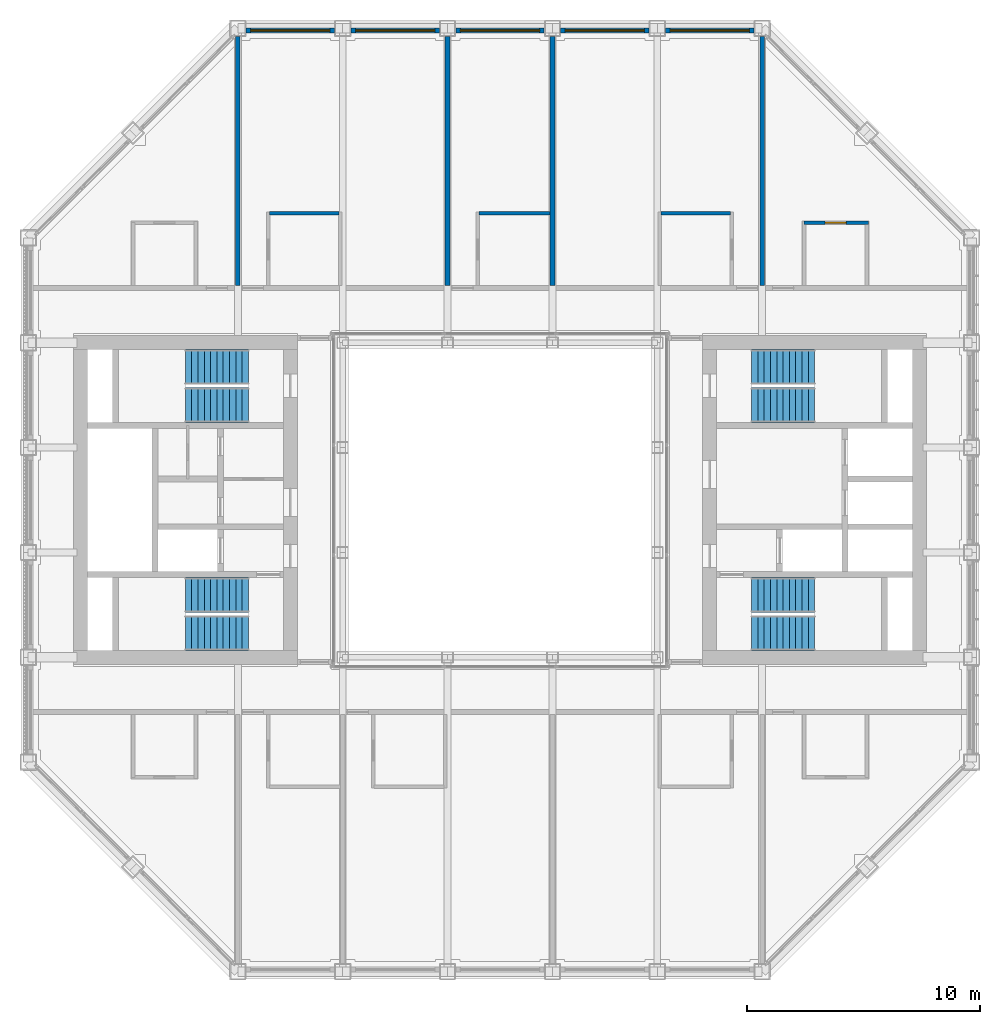
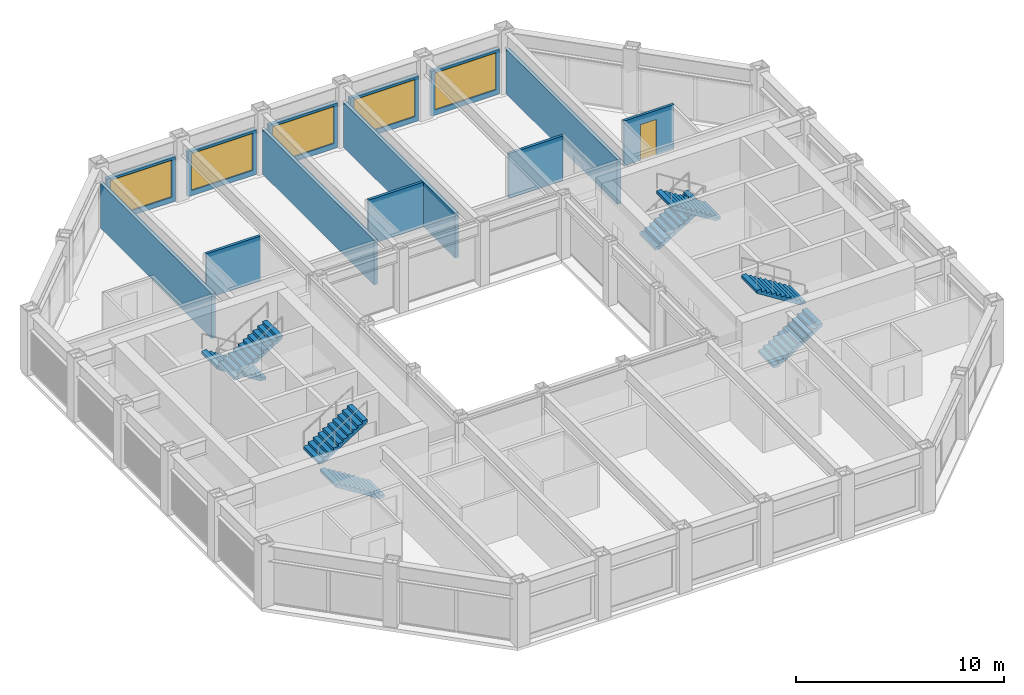
# One storey, part 12 of 16: 13 walls, 8 stair flights, 5 windows, 1 door, 6 openings, 4 elements without a shape of their own.
"""IFC4 building model written with IfcOpenShell, lengths in metres."""

from ifc_helpers import new_model, si_unit, direction, frame, frame_2d, origin, place, context, subcontext, project, spatial, polyline, rectangle, outline, extrude, material, layer, layer_set, type_object, element, fill, aggregate, save


model = new_model("IFC4")

# Units and contexts
model_context = context("Model", 3, precision=1e-05, world=origin(), true_north=direction((0.0, 1.0)))
body_context = subcontext(model_context, "Body", "Model", "MODEL_VIEW")
ifc_project = project(units=[si_unit("LENGTHUNIT", "METRE"), si_unit("AREAUNIT", "SQUARE_METRE"), si_unit("VOLUMEUNIT", "CUBIC_METRE"), si_unit("PLANEANGLEUNIT", "RADIAN"), si_unit("MASSUNIT", "GRAM", prefix="KILO")], contexts=[model_context])

# Site, building, storey
site_placement = place(None, origin())
site = spatial("IfcSite", under=ifc_project, at=site_placement, CompositionType="ELEMENT")
building_placement = place(site_placement, origin())
building = spatial("IfcBuilding", under=site, at=building_placement, Name="Msasa Ring Tower", CompositionType="ELEMENT")
storey_placement = place(building_placement, frame((0.0, 0.0, 212.050048828125)))
storey = spatial("IfcBuildingStorey", under=building, at=storey_placement, Name="L55", CompositionType="ELEMENT", Elevation=212.050048828125)

# Wall, opening, window
ifc_material_1 = material(Name="Terracotta rainscreen on blockwork", Category="masonry")
ifc_layer_1 = layer(ifc_material_1, 0.199951171875)
ifc_layer_set_1 = layer_set([ifc_layer_1], Name="FW1 TERRACOTTA-LINED INFILL BAY WALL 200")
wall_type_1 = type_object("IfcWallType", Name="FW1 TERRACOTTA-LINED INFILL BAY WALL 200", PredefinedType="SOLIDWALL", material=ifc_layer_set_1)
wall_1_placement = place(storey_placement, frame((-10.89501953125, 20.14990234375, 0.0), z_axis=(0.0, 0.0, 1.0), x_axis=(1.0, 0.0, 0.0)))
wall_1 = element("IfcWall", 1, at=wall_1_placement, inside=storey, type_object=wall_type_1, Name="Infill bay wall N L55 14", PredefinedType="SOLIDWALL", context=body_context, shape_type="SweptSolid", body=[
    extrude(rectangle(XDim=3.7900390625, YDim=0.199951171875, at=frame_2d((1.89501953125, 0.0))), origin(), (0.0, 0.0, 1.0), 2.62890625),
])
opening_1_placement = place(wall_1_placement, frame((0.195068359375, 0.0, 0.300048828125)))
opening_1 = element("IfcOpeningElement", 2, at=opening_1_placement, cuts=wall_1, Name="Opening WN3", PredefinedType="OPENING", context=body_context, shape_type="SweptSolid", body=[
    extrude(rectangle(XDim=3.39990234375, YDim=2.178955078125, at=frame_2d((1.699951171875, 1.08935546875))), frame((0.0, 0.10986328125, 0.0), z_axis=(0.0, -1.0, 0.0), x_axis=(1.0, 0.0, 0.0)), (0.0, 0.0, 1.0), 0.219970703125),
])
ifc_material_2 = material(Name="Aluminium frame with clear glass", Category="aluminium")
window_type = type_object("IfcWindowType", Name="WN3 SUITE WINDOW 3400x2179", PartitioningType="SINGLE_PANEL", PredefinedType="WINDOW", material=ifc_material_2)
window_1_placement = place(opening_1_placement, origin())
window_1 = element("IfcWindow", 3, at=window_1_placement, inside=storey, type_object=window_type, Name="Window N L55 14", OverallHeight=2.178955078125, OverallWidth=3.39990234375, PartitioningType="SINGLE_PANEL", PredefinedType="WINDOW", context=body_context, shape_type="SweptSolid", body=[
    extrude(rectangle(XDim=3.39990234375, YDim=2.178955078125, at=frame_2d((1.699951171875, 1.08935546875))), frame((0.0, 0.030029296875, 0.0), z_axis=(0.0, -1.0, 0.0), x_axis=(1.0, 0.0, 0.0)), (0.0, 0.0, 1.0), 0.06005859375),
])
fill(opening_1, window_1)

wall_2_placement = place(storey_placement, frame((-6.39501953125, 20.14990234375, 0.0), z_axis=(0.0, 0.0, 1.0), x_axis=(1.0, 0.0, 0.0)))
wall_2 = element("IfcWall", 4, at=wall_2_placement, inside=storey, type_object=wall_type_1, Name="Infill bay wall N L55 15", PredefinedType="SOLIDWALL", context=body_context, shape_type="SweptSolid", body=[
    extrude(rectangle(XDim=3.7900390625, YDim=0.199951171875, at=frame_2d((1.89501953125, 0.0))), origin(), (0.0, 0.0, 1.0), 2.62890625),
])
opening_2_placement = place(wall_2_placement, frame((0.195068359375, 0.0, 0.300048828125)))
opening_2 = element("IfcOpeningElement", 5, at=opening_2_placement, cuts=wall_2, Name="Opening WN3", PredefinedType="OPENING", context=body_context, shape_type="SweptSolid", body=[
    extrude(rectangle(XDim=3.39990234375, YDim=2.178955078125, at=frame_2d((1.699951171875, 1.08935546875))), frame((0.0, 0.10986328125, 0.0), z_axis=(0.0, -1.0, 0.0), x_axis=(1.0, 0.0, 0.0)), (0.0, 0.0, 1.0), 0.219970703125),
])
window_2_placement = place(opening_2_placement, origin())
window_2 = element("IfcWindow", 6, at=window_2_placement, inside=storey, type_object=window_type, Name="Window N L55 15", OverallHeight=2.178955078125, OverallWidth=3.39990234375, PartitioningType="SINGLE_PANEL", PredefinedType="WINDOW", context=body_context, shape_type="SweptSolid", body=[
    extrude(rectangle(XDim=3.39990234375, YDim=2.178955078125, at=frame_2d((1.699951171875, 1.08935546875))), frame((0.0, 0.030029296875, 0.0), z_axis=(0.0, -1.0, 0.0), x_axis=(1.0, 0.0, 0.0)), (0.0, 0.0, 1.0), 0.06005859375),
])
fill(opening_2, window_2)

wall_3_placement = place(storey_placement, frame((-1.89501953125, 20.14990234375, 0.0), z_axis=(0.0, 0.0, 1.0), x_axis=(1.0, 0.0, 0.0)))
wall_3 = element("IfcWall", 7, at=wall_3_placement, inside=storey, type_object=wall_type_1, Name="Infill bay wall N L55 16", PredefinedType="SOLIDWALL", context=body_context, shape_type="SweptSolid", body=[
    extrude(rectangle(XDim=3.7900390625, YDim=0.199951171875, at=frame_2d((1.89501953125, 0.0))), origin(), (0.0, 0.0, 1.0), 2.62890625),
])
opening_3_placement = place(wall_3_placement, frame((0.195068359375, 0.0, 0.300048828125)))
opening_3 = element("IfcOpeningElement", 8, at=opening_3_placement, cuts=wall_3, Name="Opening WN3", PredefinedType="OPENING", context=body_context, shape_type="SweptSolid", body=[
    extrude(rectangle(XDim=3.39990234375, YDim=2.178955078125, at=frame_2d((1.699951171875, 1.08935546875))), frame((0.0, 0.10986328125, 0.0), z_axis=(0.0, -1.0, 0.0), x_axis=(1.0, 0.0, 0.0)), (0.0, 0.0, 1.0), 0.219970703125),
])
window_3_placement = place(opening_3_placement, origin())
window_3 = element("IfcWindow", 9, at=window_3_placement, inside=storey, type_object=window_type, Name="Window N L55 16", OverallHeight=2.178955078125, OverallWidth=3.39990234375, PartitioningType="SINGLE_PANEL", PredefinedType="WINDOW", context=body_context, shape_type="SweptSolid", body=[
    extrude(rectangle(XDim=3.39990234375, YDim=2.178955078125, at=frame_2d((1.699951171875, 1.08935546875))), frame((0.0, 0.030029296875, 0.0), z_axis=(0.0, -1.0, 0.0), x_axis=(1.0, 0.0, 0.0)), (0.0, 0.0, 1.0), 0.06005859375),
])
fill(opening_3, window_3)

wall_4_placement = place(storey_placement, frame((2.60498046875, 20.14990234375, 0.0), z_axis=(0.0, 0.0, 1.0), x_axis=(1.0, 0.0, 0.0)))
wall_4 = element("IfcWall", 10, at=wall_4_placement, inside=storey, type_object=wall_type_1, Name="Infill bay wall N L55 17", PredefinedType="SOLIDWALL", context=body_context, shape_type="SweptSolid", body=[
    extrude(rectangle(XDim=3.7900390625, YDim=0.199951171875, at=frame_2d((1.89501953125, 0.0))), origin(), (0.0, 0.0, 1.0), 2.62890625),
])
opening_4_placement = place(wall_4_placement, frame((0.195068359375, 0.0, 0.300048828125)))
opening_4 = element("IfcOpeningElement", 11, at=opening_4_placement, cuts=wall_4, Name="Opening WN3", PredefinedType="OPENING", context=body_context, shape_type="SweptSolid", body=[
    extrude(rectangle(XDim=3.39990234375, YDim=2.178955078125, at=frame_2d((1.699951171875, 1.08935546875))), frame((0.0, 0.10986328125, 0.0), z_axis=(0.0, -1.0, 0.0), x_axis=(1.0, 0.0, 0.0)), (0.0, 0.0, 1.0), 0.219970703125),
])
window_4_placement = place(opening_4_placement, origin())
window_4 = element("IfcWindow", 12, at=window_4_placement, inside=storey, type_object=window_type, Name="Window N L55 17", OverallHeight=2.178955078125, OverallWidth=3.39990234375, PartitioningType="SINGLE_PANEL", PredefinedType="WINDOW", context=body_context, shape_type="SweptSolid", body=[
    extrude(rectangle(XDim=3.39990234375, YDim=2.178955078125, at=frame_2d((1.699951171875, 1.08935546875))), frame((0.0, 0.030029296875, 0.0), z_axis=(0.0, -1.0, 0.0), x_axis=(1.0, 0.0, 0.0)), (0.0, 0.0, 1.0), 0.06005859375),
])
fill(opening_4, window_4)

wall_5_placement = place(storey_placement, frame((7.10498046875, 20.14990234375, 0.0), z_axis=(0.0, 0.0, 1.0), x_axis=(1.0, 0.0, 0.0)))
wall_5 = element("IfcWall", 13, at=wall_5_placement, inside=storey, type_object=wall_type_1, Name="Infill bay wall N L55 18", PredefinedType="SOLIDWALL", context=body_context, shape_type="SweptSolid", body=[
    extrude(rectangle(XDim=3.7900390625, YDim=0.199951171875, at=frame_2d((1.89501953125, 0.0))), origin(), (0.0, 0.0, 1.0), 2.62890625),
])
opening_5_placement = place(wall_5_placement, frame((0.195068359375, 0.0, 0.300048828125)))
opening_5 = element("IfcOpeningElement", 14, at=opening_5_placement, cuts=wall_5, Name="Opening WN3", PredefinedType="OPENING", context=body_context, shape_type="SweptSolid", body=[
    extrude(rectangle(XDim=3.39990234375, YDim=2.178955078125, at=frame_2d((1.699951171875, 1.08935546875))), frame((0.0, 0.10986328125, 0.0), z_axis=(0.0, -1.0, 0.0), x_axis=(1.0, 0.0, 0.0)), (0.0, 0.0, 1.0), 0.219970703125),
])
window_5_placement = place(opening_5_placement, origin())
window_5 = element("IfcWindow", 15, at=window_5_placement, inside=storey, type_object=window_type, Name="Window N L55 18", OverallHeight=2.178955078125, OverallWidth=3.39990234375, PartitioningType="SINGLE_PANEL", PredefinedType="WINDOW", context=body_context, shape_type="SweptSolid", body=[
    extrude(rectangle(XDim=3.39990234375, YDim=2.178955078125, at=frame_2d((1.699951171875, 1.08935546875))), frame((0.0, 0.030029296875, 0.0), z_axis=(0.0, -1.0, 0.0), x_axis=(1.0, 0.0, 0.0)), (0.0, 0.0, 1.0), 0.06005859375),
])
fill(opening_5, window_5)

# Walls
ifc_material_3 = material(Name="Dense concrete blockwork, plastered both faces", Category="masonry")
ifc_layer_2 = layer(ifc_material_3, 0.25)
ifc_layer_set_2 = layer_set([ifc_layer_2], Name="PT3 APARTMENT SEPARATING WALL 250")
wall_type_2 = type_object("IfcWallType", Name="PT3 APARTMENT SEPARATING WALL 250", PredefinedType="PARTITIONING", material=ifc_layer_set_2)
for number, where, z_axis, x_axis, name in (
    (16, (-11.25, 9.199951171875, 0.0), (0.0, 0.0, 1.0), (0.0, 1.0, 0.0), "Party wall L55-PWN-11.25"),
    (17, (-2.25, 9.199951171875, 0.0), (0.0, 0.0, 1.0), (0.0, 1.0, 0.0), "Party wall L55-PWN-2.25"),
    (18, (2.25, 9.199951171875, 0.0), (0.0, 0.0, 1.0), (0.0, 1.0, 0.0), "Party wall L55-PWN+2.25"),
    (19, (11.25, 9.199951171875, 0.0), (0.0, 0.0, 1.0), (0.0, 1.0, 0.0), "Party wall L55-PWN+11.25"),
):
    element("IfcWall", number, at=place(storey_placement, frame(where, z_axis=z_axis, x_axis=x_axis)), inside=storey, type_object=wall_type_2, Name=name, PredefinedType="PARTITIONING", context=body_context, shape_type="SweptSolid", body=[
        extrude(rectangle(XDim=10.699951171875, YDim=0.199951171875, at=frame_2d((5.35009765625, 0.0))), origin(), (0.0, 0.0, 1.0), 2.62890625),
    ])
ifc_material_4 = material(Name="Moisture-resistant board on steel studs with a concealed cistern and pipe void, tiled", Category="steel")
ifc_layer_3 = layer(ifc_material_4, 0.14990234375)
ifc_layer_set_3 = layer_set([ifc_layer_3], Name="PT4 BATHROOM WET WALL 150")
wall_type_3 = type_object("IfcWallType", Name="PT4 BATHROOM WET WALL 150", PredefinedType="PARTITIONING", material=ifc_layer_set_3)
wall_6_placement = place(storey_placement, frame((-9.89990234375, 12.300048828125, 0.0), z_axis=(0.0, 0.0, 1.0), x_axis=(1.0, 0.0, 0.0)))
element("IfcWall", 20, at=wall_6_placement, inside=storey, type_object=wall_type_3, Name="Partition L55-JN00BY", PredefinedType="PARTITIONING", context=body_context, shape_type="SweptSolid", body=[
    extrude(rectangle(XDim=3.0, YDim=0.14990234375, at=frame_2d((1.5, 0.0))), origin(), (0.0, 0.0, 1.0), 2.62890625),
])
wall_7_placement = place(storey_placement, frame((-0.89990234375, 12.300048828125, 0.0), z_axis=(0.0, 0.0, 1.0), x_axis=(1.0, 0.0, 0.0)))
element("IfcWall", 21, at=wall_7_placement, inside=storey, type_object=wall_type_3, Name="Partition L55-JN01BY", PredefinedType="PARTITIONING", context=body_context, shape_type="SweptSolid", body=[
    extrude(rectangle(XDim=3.0498046875, YDim=0.14990234375, at=frame_2d((1.52490234375, 0.0))), origin(), (0.0, 0.0, 1.0), 2.62890625),
])
wall_8_placement = place(storey_placement, frame((6.89990234375, 12.300048828125, 0.0), z_axis=(0.0, 0.0, 1.0), x_axis=(1.0, 0.0, 0.0)))
element("IfcWall", 22, at=wall_8_placement, inside=storey, type_object=wall_type_3, Name="Partition L55-JN02BY", PredefinedType="PARTITIONING", context=body_context, shape_type="SweptSolid", body=[
    extrude(rectangle(XDim=3.0, YDim=0.14990234375, at=frame_2d((1.5, 0.0))), origin(), (0.0, 0.0, 1.0), 2.62890625),
])

# Wall, opening, door
wall_9_placement = place(storey_placement, frame((13.050048828125, 11.89990234375, 0.0), z_axis=(0.0, 0.0, 1.0), x_axis=(1.0, 0.0, 0.0)))
wall_9 = element("IfcWall", 23, at=wall_9_placement, inside=storey, type_object=wall_type_3, Name="Partition L55-CSNEBY", PredefinedType="PARTITIONING", context=body_context, shape_type="SweptSolid", body=[
    extrude(rectangle(XDim=2.77490234375, YDim=0.14990234375, at=frame_2d((1.387451171875, 0.0))), origin(), (0.0, 0.0, 1.0), 2.62890625),
])
opening_6_placement = place(wall_9_placement, frame((0.89990234375, 0.0, 0.0)))
opening_6 = element("IfcOpeningElement", 24, at=opening_6_placement, cuts=wall_9, Name="Opening SB-002", PredefinedType="OPENING", context=body_context, shape_type="SweptSolid", body=[
    extrude(rectangle(XDim=0.89990234375, YDim=2.10009765625, at=frame_2d((0.449951171875, 1.050048828125))), frame((0.0, 0.0849609375, 0.0), z_axis=(0.0, -1.0, 0.0), x_axis=(1.0, 0.0, 0.0)), (0.0, 0.0, 1.0), 0.169921875),
])
ifc_material_5 = material(Name="Timber door leaf in a steel frame", Category="steel")
door_type = type_object("IfcDoorType", Name="D3 BATHROOM DOOR 900x2100", OperationType="SINGLE_SWING_LEFT", PredefinedType="DOOR", material=ifc_material_5)
door_placement = place(opening_6_placement, origin())
door = element("IfcDoor", 25, at=door_placement, inside=storey, type_object=door_type, Name="Door L55-CSNEB1", OperationType="SINGLE_SWING_LEFT", OverallHeight=2.10009765625, OverallWidth=0.89990234375, PredefinedType="DOOR", context=body_context, shape_type="SweptSolid", body=[
    extrude(rectangle(XDim=0.89990234375, YDim=2.10009765625, at=frame_2d((0.449951171875, 1.050048828125))), frame((0.0, 0.02490234375, 0.0), z_axis=(0.0, -1.0, 0.0), x_axis=(1.0, 0.0, 0.0)), (0.0, 0.0, 1.0), 0.050048828125),
])
fill(opening_6, door)

# Stair, stair flights
ifc_material_6 = material(Name="Concrete C40/50", Category="concrete")
stair_type = type_object("IfcStairType", Name="STC CORE STAIR 22 RISERS 170.5", PredefinedType="HALF_TURN_STAIR", material=ifc_material_6)
stair_1_placement = place(storey_placement, origin())
stair_1 = element("IfcStair", 26, at=stair_1_placement, inside=storey, type_object=stair_type, Name="Core stair SEA L55", PredefinedType="HALF_TURN_STAIR")
ifc_material_7 = material(Name="Concrete C40/50", Category="concrete")
stair_flight_type = type_object("IfcStairFlightType", Name="ST11 CORE STAIR FLIGHT 1500 11 RISERS 170.5", PredefinedType="STRAIGHT", material=ifc_material_7)
stair_flight_1_placement = place(storey_placement, frame((10.800048828125, -5.699951171875, 0.0), z_axis=(0.0, 0.0, 1.0), x_axis=(1.0, 0.0, 0.0)))
stair_flight_1 = element("IfcStairFlight", 27, at=stair_flight_1_placement, type_object=stair_flight_type, Name="SEA flight 1", NumberOfRisers=11, NumberOfTreads=10, PredefinedType="STRAIGHT", RiserHeight=0.170454545, TreadLength=0.27, context=body_context, shape_type="SweptSolid", body=[
    extrude(outline(polyline([(0.0, 0.0), (0.0, 0.17041015625), (0.27001953125, 0.17041015625), (0.27001953125, 0.3408203125), (0.5400390625, 0.3408203125), (0.5400390625, 0.511474609375), (0.81005859375, 0.511474609375), (0.81005859375, 0.681884765625), (1.080078125, 0.681884765625), (1.080078125, 0.852294921875), (1.35009765625, 0.852294921875), (1.35009765625, 1.022705078125), (1.6201171875, 1.022705078125), (1.6201171875, 1.193115234375), (1.889892578125, 1.193115234375), (1.889892578125, 1.363525390625), (2.159912109375, 1.363525390625), (2.159912109375, 1.5341796875), (2.429931640625, 1.5341796875), (2.429931640625, 1.70458984375), (2.699951171875, 1.70458984375), (2.699951171875, 1.875), (2.699951171875, 1.52734375), (0.28076171875, 0.0), (0.0, 0.0)])), frame((0.0, 0.75, 0.0), z_axis=(0.0, -1.0, 0.0), x_axis=(1.0, 0.0, 0.0)), (0.0, 0.0, 1.0), 1.5),
])
stair_flight_2_placement = place(storey_placement, frame((13.5, -4.074951171875, 1.875), z_axis=(0.0, 0.0, 1.0), x_axis=(-1.0, 0.0, 0.0)))
stair_flight_2 = element("IfcStairFlight", 28, at=stair_flight_2_placement, type_object=stair_flight_type, Name="SEA flight 2", NumberOfRisers=11, NumberOfTreads=10, PredefinedType="STRAIGHT", RiserHeight=0.170454545, TreadLength=0.27, context=body_context, shape_type="SweptSolid", body=[
    extrude(outline(polyline([(0.0, 0.0), (0.0, 0.17041015625), (0.27001953125, 0.17041015625), (0.27001953125, 0.3408203125), (0.5400390625, 0.3408203125), (0.5400390625, 0.511474609375), (0.81005859375, 0.511474609375), (0.81005859375, 0.681884765625), (1.080078125, 0.681884765625), (1.080078125, 0.852294921875), (1.35009765625, 0.852294921875), (1.35009765625, 1.022705078125), (1.6201171875, 1.022705078125), (1.6201171875, 1.193115234375), (1.889892578125, 1.193115234375), (1.889892578125, 1.363525390625), (2.159912109375, 1.363525390625), (2.159912109375, 1.5341796875), (2.429931640625, 1.5341796875), (2.429931640625, 1.70458984375), (2.699951171875, 1.70458984375), (2.699951171875, 1.875), (2.699951171875, 1.52734375), (0.28076171875, 0.0), (0.0, 0.0)])), frame((0.0, 0.75, 0.0), z_axis=(0.0, -1.0, 0.0), x_axis=(1.0, 0.0, 0.0)), (0.0, 0.0, 1.0), 1.5),
])
aggregate(stair_1, [stair_flight_1, stair_flight_2])

stair_2_placement = place(storey_placement, origin())
stair_2 = element("IfcStair", 29, at=stair_2_placement, inside=storey, type_object=stair_type, Name="Core stair SEB L55", PredefinedType="HALF_TURN_STAIR")
stair_flight_3_placement = place(storey_placement, frame((10.800048828125, 5.699951171875, 0.0), z_axis=(0.0, 0.0, 1.0), x_axis=(1.0, 0.0, 0.0)))
stair_flight_3 = element("IfcStairFlight", 30, at=stair_flight_3_placement, type_object=stair_flight_type, Name="SEB flight 1", NumberOfRisers=11, NumberOfTreads=10, PredefinedType="STRAIGHT", RiserHeight=0.170454545, TreadLength=0.27, context=body_context, shape_type="SweptSolid", body=[
    extrude(outline(polyline([(0.0, 0.0), (0.0, 0.17041015625), (0.27001953125, 0.17041015625), (0.27001953125, 0.3408203125), (0.5400390625, 0.3408203125), (0.5400390625, 0.511474609375), (0.81005859375, 0.511474609375), (0.81005859375, 0.681884765625), (1.080078125, 0.681884765625), (1.080078125, 0.852294921875), (1.35009765625, 0.852294921875), (1.35009765625, 1.022705078125), (1.6201171875, 1.022705078125), (1.6201171875, 1.193115234375), (1.889892578125, 1.193115234375), (1.889892578125, 1.363525390625), (2.159912109375, 1.363525390625), (2.159912109375, 1.5341796875), (2.429931640625, 1.5341796875), (2.429931640625, 1.70458984375), (2.699951171875, 1.70458984375), (2.699951171875, 1.875), (2.699951171875, 1.52734375), (0.28076171875, 0.0), (0.0, 0.0)])), frame((0.0, 0.75, 0.0), z_axis=(0.0, -1.0, 0.0), x_axis=(1.0, 0.0, 0.0)), (0.0, 0.0, 1.0), 1.5),
])
stair_flight_4_placement = place(storey_placement, frame((13.5, 4.074951171875, 1.875), z_axis=(0.0, 0.0, 1.0), x_axis=(-1.0, 0.0, 0.0)))
stair_flight_4 = element("IfcStairFlight", 31, at=stair_flight_4_placement, type_object=stair_flight_type, Name="SEB flight 2", NumberOfRisers=11, NumberOfTreads=10, PredefinedType="STRAIGHT", RiserHeight=0.170454545, TreadLength=0.27, context=body_context, shape_type="SweptSolid", body=[
    extrude(outline(polyline([(0.0, 0.0), (0.0, 0.17041015625), (0.27001953125, 0.17041015625), (0.27001953125, 0.3408203125), (0.5400390625, 0.3408203125), (0.5400390625, 0.511474609375), (0.81005859375, 0.511474609375), (0.81005859375, 0.681884765625), (1.080078125, 0.681884765625), (1.080078125, 0.852294921875), (1.35009765625, 0.852294921875), (1.35009765625, 1.022705078125), (1.6201171875, 1.022705078125), (1.6201171875, 1.193115234375), (1.889892578125, 1.193115234375), (1.889892578125, 1.363525390625), (2.159912109375, 1.363525390625), (2.159912109375, 1.5341796875), (2.429931640625, 1.5341796875), (2.429931640625, 1.70458984375), (2.699951171875, 1.70458984375), (2.699951171875, 1.875), (2.699951171875, 1.52734375), (0.28076171875, 0.0), (0.0, 0.0)])), frame((0.0, 0.75, 0.0), z_axis=(0.0, -1.0, 0.0), x_axis=(1.0, 0.0, 0.0)), (0.0, 0.0, 1.0), 1.5),
])
aggregate(stair_2, [stair_flight_3, stair_flight_4])

stair_3_placement = place(storey_placement, origin())
stair_3 = element("IfcStair", 32, at=stair_3_placement, inside=storey, type_object=stair_type, Name="Core stair SWA L55", PredefinedType="HALF_TURN_STAIR")
stair_flight_5_placement = place(storey_placement, frame((-10.800048828125, -5.699951171875, 0.0), z_axis=(0.0, 0.0, 1.0), x_axis=(-1.0, 0.0, 0.0)))
stair_flight_5 = element("IfcStairFlight", 33, at=stair_flight_5_placement, type_object=stair_flight_type, Name="SWA flight 1", NumberOfRisers=11, NumberOfTreads=10, PredefinedType="STRAIGHT", RiserHeight=0.170454545, TreadLength=0.27, context=body_context, shape_type="SweptSolid", body=[
    extrude(outline(polyline([(0.0, 0.0), (0.0, 0.17041015625), (0.27001953125, 0.17041015625), (0.27001953125, 0.3408203125), (0.5400390625, 0.3408203125), (0.5400390625, 0.511474609375), (0.81005859375, 0.511474609375), (0.81005859375, 0.681884765625), (1.080078125, 0.681884765625), (1.080078125, 0.852294921875), (1.35009765625, 0.852294921875), (1.35009765625, 1.022705078125), (1.6201171875, 1.022705078125), (1.6201171875, 1.193115234375), (1.889892578125, 1.193115234375), (1.889892578125, 1.363525390625), (2.159912109375, 1.363525390625), (2.159912109375, 1.5341796875), (2.429931640625, 1.5341796875), (2.429931640625, 1.70458984375), (2.699951171875, 1.70458984375), (2.699951171875, 1.875), (2.699951171875, 1.52734375), (0.28076171875, 0.0), (0.0, 0.0)])), frame((0.0, 0.75, 0.0), z_axis=(0.0, -1.0, 0.0), x_axis=(1.0, 0.0, 0.0)), (0.0, 0.0, 1.0), 1.5),
])
stair_flight_6_placement = place(storey_placement, frame((-13.5, -4.074951171875, 1.875), z_axis=(0.0, 0.0, 1.0), x_axis=(1.0, 0.0, 0.0)))
stair_flight_6 = element("IfcStairFlight", 34, at=stair_flight_6_placement, type_object=stair_flight_type, Name="SWA flight 2", NumberOfRisers=11, NumberOfTreads=10, PredefinedType="STRAIGHT", RiserHeight=0.170454545, TreadLength=0.27, context=body_context, shape_type="SweptSolid", body=[
    extrude(outline(polyline([(0.0, 0.0), (0.0, 0.17041015625), (0.27001953125, 0.17041015625), (0.27001953125, 0.3408203125), (0.5400390625, 0.3408203125), (0.5400390625, 0.511474609375), (0.81005859375, 0.511474609375), (0.81005859375, 0.681884765625), (1.080078125, 0.681884765625), (1.080078125, 0.852294921875), (1.35009765625, 0.852294921875), (1.35009765625, 1.022705078125), (1.6201171875, 1.022705078125), (1.6201171875, 1.193115234375), (1.889892578125, 1.193115234375), (1.889892578125, 1.363525390625), (2.159912109375, 1.363525390625), (2.159912109375, 1.5341796875), (2.429931640625, 1.5341796875), (2.429931640625, 1.70458984375), (2.699951171875, 1.70458984375), (2.699951171875, 1.875), (2.699951171875, 1.52734375), (0.28076171875, 0.0), (0.0, 0.0)])), frame((0.0, 0.75, 0.0), z_axis=(0.0, -1.0, 0.0), x_axis=(1.0, 0.0, 0.0)), (0.0, 0.0, 1.0), 1.5),
])
aggregate(stair_3, [stair_flight_5, stair_flight_6])

stair_4_placement = place(storey_placement, origin())
stair_4 = element("IfcStair", 35, at=stair_4_placement, inside=storey, type_object=stair_type, Name="Core stair SWB L55", PredefinedType="HALF_TURN_STAIR")
stair_flight_7_placement = place(storey_placement, frame((-10.800048828125, 5.699951171875, 0.0), z_axis=(0.0, 0.0, 1.0), x_axis=(-1.0, 0.0, 0.0)))
stair_flight_7 = element("IfcStairFlight", 36, at=stair_flight_7_placement, type_object=stair_flight_type, Name="SWB flight 1", NumberOfRisers=11, NumberOfTreads=10, PredefinedType="STRAIGHT", RiserHeight=0.170454545, TreadLength=0.27, context=body_context, shape_type="SweptSolid", body=[
    extrude(outline(polyline([(0.0, 0.0), (0.0, 0.17041015625), (0.27001953125, 0.17041015625), (0.27001953125, 0.3408203125), (0.5400390625, 0.3408203125), (0.5400390625, 0.511474609375), (0.81005859375, 0.511474609375), (0.81005859375, 0.681884765625), (1.080078125, 0.681884765625), (1.080078125, 0.852294921875), (1.35009765625, 0.852294921875), (1.35009765625, 1.022705078125), (1.6201171875, 1.022705078125), (1.6201171875, 1.193115234375), (1.889892578125, 1.193115234375), (1.889892578125, 1.363525390625), (2.159912109375, 1.363525390625), (2.159912109375, 1.5341796875), (2.429931640625, 1.5341796875), (2.429931640625, 1.70458984375), (2.699951171875, 1.70458984375), (2.699951171875, 1.875), (2.699951171875, 1.52734375), (0.28076171875, 0.0), (0.0, 0.0)])), frame((0.0, 0.75, 0.0), z_axis=(0.0, -1.0, 0.0), x_axis=(1.0, 0.0, 0.0)), (0.0, 0.0, 1.0), 1.5),
])
stair_flight_8_placement = place(storey_placement, frame((-13.5, 4.074951171875, 1.875), z_axis=(0.0, 0.0, 1.0), x_axis=(1.0, 0.0, 0.0)))
stair_flight_8 = element("IfcStairFlight", 37, at=stair_flight_8_placement, type_object=stair_flight_type, Name="SWB flight 2", NumberOfRisers=11, NumberOfTreads=10, PredefinedType="STRAIGHT", RiserHeight=0.170454545, TreadLength=0.27, context=body_context, shape_type="SweptSolid", body=[
    extrude(outline(polyline([(0.0, 0.0), (0.0, 0.17041015625), (0.27001953125, 0.17041015625), (0.27001953125, 0.3408203125), (0.5400390625, 0.3408203125), (0.5400390625, 0.511474609375), (0.81005859375, 0.511474609375), (0.81005859375, 0.681884765625), (1.080078125, 0.681884765625), (1.080078125, 0.852294921875), (1.35009765625, 0.852294921875), (1.35009765625, 1.022705078125), (1.6201171875, 1.022705078125), (1.6201171875, 1.193115234375), (1.889892578125, 1.193115234375), (1.889892578125, 1.363525390625), (2.159912109375, 1.363525390625), (2.159912109375, 1.5341796875), (2.429931640625, 1.5341796875), (2.429931640625, 1.70458984375), (2.699951171875, 1.70458984375), (2.699951171875, 1.875), (2.699951171875, 1.52734375), (0.28076171875, 0.0), (0.0, 0.0)])), frame((0.0, 0.75, 0.0), z_axis=(0.0, -1.0, 0.0), x_axis=(1.0, 0.0, 0.0)), (0.0, 0.0, 1.0), 1.5),
])
aggregate(stair_4, [stair_flight_7, stair_flight_8])

save(model, "model.ifc")
